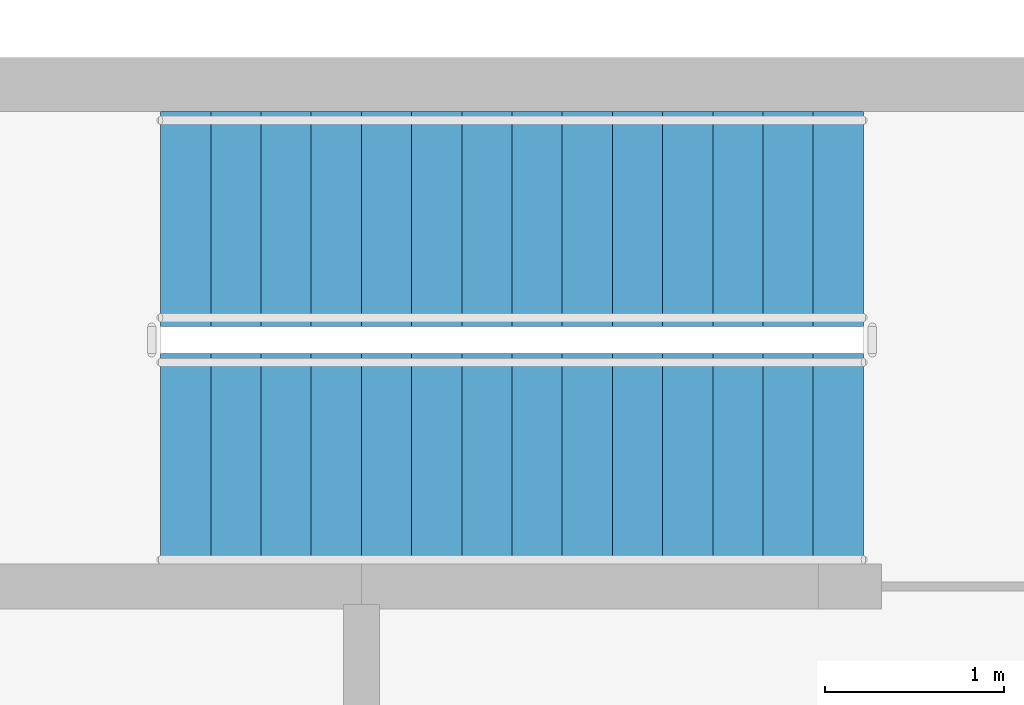
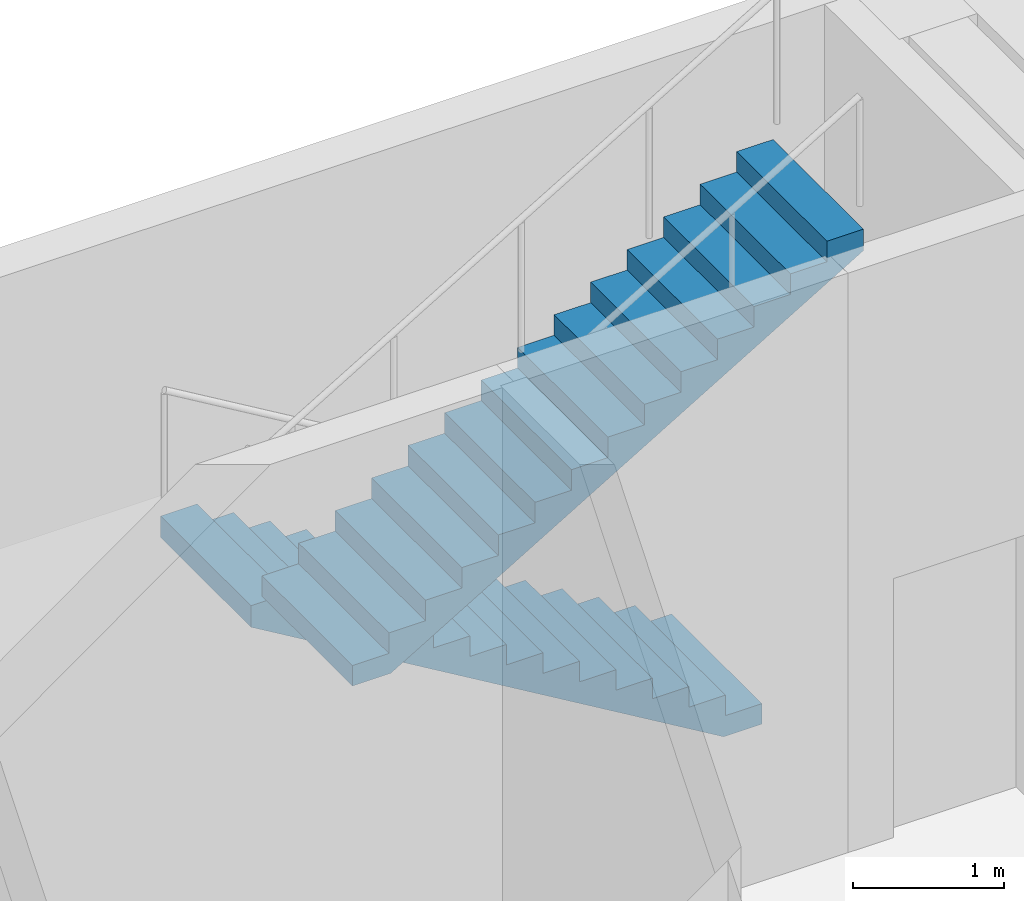
# One storey, part 17 of 24: 2 stair flights, 1 element without a shape of its own.
"""IFC4 building model written with IfcOpenShell, lengths in metres."""

from ifc_helpers import new_model, si_unit, direction, frame, origin, place, context, subcontext, project, spatial, polyline, outline, extrude, material, type_object, element, aggregate, save


model = new_model("IFC4")

# Units and contexts
model_context = context("Model", 3, precision=1e-05, world=origin(), true_north=direction((0.0, 1.0)))
body_context = subcontext(model_context, "Body", "Model", "MODEL_VIEW")
ifc_project = project(units=[si_unit("LENGTHUNIT", "METRE"), si_unit("AREAUNIT", "SQUARE_METRE"), si_unit("VOLUMEUNIT", "CUBIC_METRE"), si_unit("PLANEANGLEUNIT", "RADIAN"), si_unit("MASSUNIT", "GRAM", prefix="KILO")], contexts=[model_context])

# Site, building, storey
site_placement = place(None, origin())
site = spatial("IfcSite", under=ifc_project, at=site_placement, CompositionType="ELEMENT")
building_placement = place(site_placement, origin())
building = spatial("IfcBuilding", under=site, at=building_placement, Name="Girih Gate Residences", CompositionType="ELEMENT")
storey_placement = place(building_placement, frame((0.0, 0.0, 11.0)))
storey = spatial("IfcBuildingStorey", under=building, at=storey_placement, Name="L02", CompositionType="ELEMENT", Elevation=11.0)

# Stair, stair flights
ifc_material = material(Name="Concrete C40/50", Category="concrete")
stair_type = type_object("IfcStairType", Name="HC Stair", PredefinedType="HALF_TURN_STAIR", material=ifc_material)
stair_placement = place(storey_placement, origin())
stair = element("IfcStair", 1, at=stair_placement, inside=storey, type_object=stair_type, Name="L02 stair B", PredefinedType="HALF_TURN_STAIR")
stair_flight_type = type_object("IfcStairFlightType", Name="HC Stair flight", PredefinedType="STRAIGHT", material=ifc_material)
stair_flight_1_placement = place(storey_placement, frame((87.75, 44.10009765625, 0.0), z_axis=(0.0, 0.0, 1.0), x_axis=(-1.0, 0.0, 0.0)))
stair_flight_1 = element("IfcStairFlight", 2, at=stair_flight_1_placement, type_object=stair_flight_type, Name="HC-STB flight 1", NumberOfRisers=15, NumberOfTreads=14, PredefinedType="STRAIGHT", RiserHeight=0.166666667, TreadLength=0.28, context=body_context, shape_type="SweptSolid", body=[
    extrude(outline(polyline([(0.0, 0.0), (0.0, 0.166748046875), (0.280029296875, 0.166748046875), (0.280029296875, 0.333251953125), (0.56005859375, 0.333251953125), (0.56005859375, 0.5), (0.840087890625, 0.5), (0.840087890625, 0.666748046875), (1.1201171875, 0.666748046875), (1.1201171875, 0.833251953125), (1.39990234375, 0.833251953125), (1.39990234375, 1.0), (1.679931640625, 1.0), (1.679931640625, 1.166748046875), (1.9599609375, 1.166748046875), (1.9599609375, 1.333251953125), (2.239990234375, 1.333251953125), (2.239990234375, 1.5), (2.52001953125, 1.5), (2.52001953125, 1.666748046875), (2.800048828125, 1.666748046875), (2.800048828125, 1.833251953125), (3.080078125, 1.833251953125), (3.080078125, 2.0), (3.360107421875, 2.0), (3.360107421875, 2.166748046875), (3.639892578125, 2.166748046875), (3.639892578125, 2.333251953125), (3.919921875, 2.333251953125), (3.919921875, 2.5), (3.919921875, 2.158935546875), (0.29296875, 0.0), (0.0, 0.0)])), frame((0.0, 0.60009765625, 0.0), z_axis=(0.0, -1.0, 0.0), x_axis=(1.0, 0.0, 0.0)), (0.0, 0.0, 1.0), 1.199951171875),
])
stair_flight_2_placement = place(storey_placement, frame((83.830078125, 42.75, 2.5), z_axis=(0.0, 0.0, 1.0), x_axis=(1.0, 0.0, 0.0)))
stair_flight_2 = element("IfcStairFlight", 3, at=stair_flight_2_placement, type_object=stair_flight_type, Name="HC-STB flight 2", NumberOfRisers=15, NumberOfTreads=14, PredefinedType="STRAIGHT", RiserHeight=0.166666667, TreadLength=0.28, context=body_context, shape_type="SweptSolid", body=[
    extrude(outline(polyline([(0.0, 0.0), (0.0, 0.166748046875), (0.280029296875, 0.166748046875), (0.280029296875, 0.333251953125), (0.56005859375, 0.333251953125), (0.56005859375, 0.5), (0.840087890625, 0.5), (0.840087890625, 0.666748046875), (1.1201171875, 0.666748046875), (1.1201171875, 0.833251953125), (1.39990234375, 0.833251953125), (1.39990234375, 1.0), (1.679931640625, 1.0), (1.679931640625, 1.166748046875), (1.9599609375, 1.166748046875), (1.9599609375, 1.333251953125), (2.239990234375, 1.333251953125), (2.239990234375, 1.5), (2.52001953125, 1.5), (2.52001953125, 1.666748046875), (2.800048828125, 1.666748046875), (2.800048828125, 1.833251953125), (3.080078125, 1.833251953125), (3.080078125, 2.0), (3.360107421875, 2.0), (3.360107421875, 2.166748046875), (3.639892578125, 2.166748046875), (3.639892578125, 2.333251953125), (3.919921875, 2.333251953125), (3.919921875, 2.5), (3.919921875, 2.158935546875), (0.29296875, 0.0), (0.0, 0.0)])), frame((0.0, 0.60009765625, 0.0), z_axis=(0.0, -1.0, 0.0), x_axis=(1.0, 0.0, 0.0)), (0.0, 0.0, 1.0), 1.199951171875),
])
aggregate(stair, [stair_flight_1, stair_flight_2])

save(model, "model.ifc")
